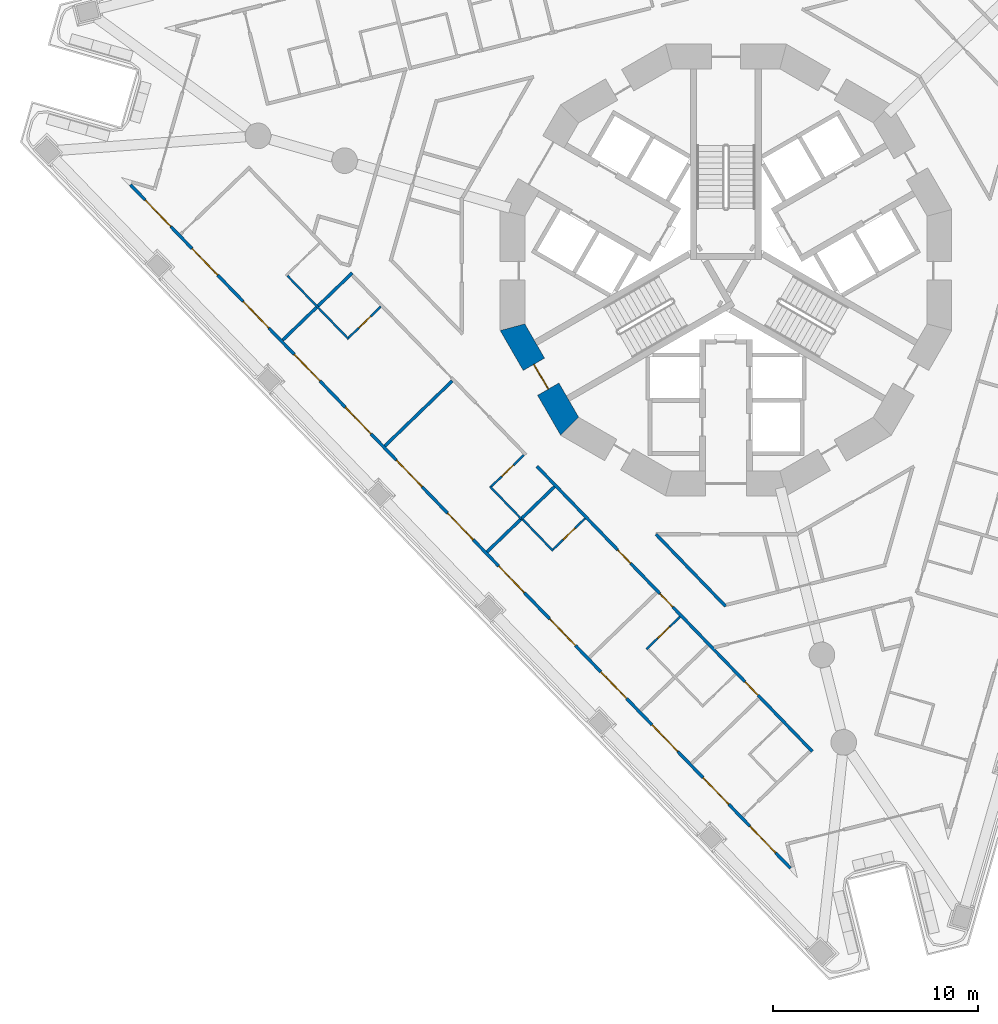
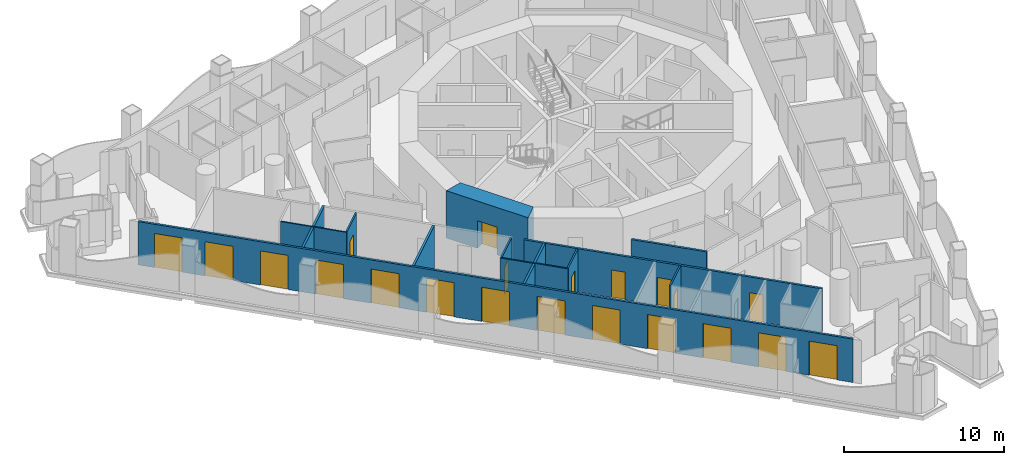
# One storey, part 2 of 18: 21 doors, 15 walls, 21 openings.
"""IFC4 building model written with IfcOpenShell, lengths in metres."""

from ifc_helpers import new_model, si_unit, direction, frame, frame_2d, origin, place, context, subcontext, project, spatial, polyline, rectangle, outline, extrude, material, layer, layer_set, type_object, element, fill, save


model = new_model("IFC4")

# Units and contexts
model_context = context("Model", 3, precision=1e-05, world=origin(), true_north=direction((0.0, 1.0)))
body_context = subcontext(model_context, "Body", "Model", "MODEL_VIEW")
ifc_project = project(units=[si_unit("LENGTHUNIT", "METRE"), si_unit("AREAUNIT", "SQUARE_METRE"), si_unit("VOLUMEUNIT", "CUBIC_METRE"), si_unit("PLANEANGLEUNIT", "RADIAN"), si_unit("MASSUNIT", "GRAM", prefix="KILO")], contexts=[model_context])

# Site, building, storey
site_placement = place(None, origin())
site = spatial("IfcSite", under=ifc_project, at=site_placement, CompositionType="ELEMENT")
building_placement = place(site_placement, origin())
building = spatial("IfcBuilding", under=site, at=building_placement, Name="Trine Commons Tower", CompositionType="ELEMENT")
storey_placement = place(building_placement, frame((0.0, 0.0, 90.89990234375)))
storey = spatial("IfcBuildingStorey", under=building, at=storey_placement, Name="L22", CompositionType="ELEMENT", Elevation=90.89990234375)

# Wall, openings, doors
ifc_material_1 = material(Name="Aluminium-framed insulated wall panel", Category="aluminium")
ifc_layer_1 = layer(ifc_material_1, 0.14990234375)
ifc_layer_set_1 = layer_set([ifc_layer_1], Name="Aluminium-framed insulated wall panel")
wall_type_1 = type_object("IfcWallType", Name="Glazed frame wall 150, EI 60", PredefinedType="SOLIDWALL", material=ifc_layer_set_1)
wall_1_placement = place(storey_placement, frame((83.25048828125, 33.21630859375, 0.0), z_axis=(0.0, 0.0, 1.0), x_axis=(-0.69466017463, 0.719338058067, 0.0)))
wall_1 = element("IfcWall", 1, at=wall_1_placement, inside=storey, type_object=wall_type_1, Name="Glazed frame wall F3", PredefinedType="SOLIDWALL", context=body_context, shape_type="SweptSolid", body=[
    extrude(outline(polyline([(0.1494140625, 0.074951171875), (0.1494140625, -0.074951171875), (46.496826171875, -0.074951171875), (46.496826171875, 0.074951171875), (0.1494140625, 0.074951171875)])), origin(), (0.0, 0.0, 1.0), 3.300048828125),
])
opening_1_placement = place(wall_1_placement, frame((1.194091796875, 0.0, 0.0)))
opening_1 = element("IfcOpeningElement", 2, at=opening_1_placement, cuts=wall_1, Name="Opening BD-3F3-01", PredefinedType="OPENING", context=body_context, shape_type="SweptSolid", body=[
    extrude(rectangle(XDim=1.800048828125, YDim=2.60009765625, at=frame_2d((0.89990234375, 1.300048828125))), frame((0.0, 0.0849609375, 0.0), z_axis=(0.0, -1.0, 0.0), x_axis=(1.0, 0.0, 0.0)), (0.0, 0.0, 1.0), 0.169921875),
])
opening_2_placement = place(wall_1_placement, frame((4.482421875, 0.0, 0.0)))
opening_2 = element("IfcOpeningElement", 3, at=opening_2_placement, cuts=wall_1, Name="Opening BD-3F3-02", PredefinedType="OPENING", context=body_context, shape_type="SweptSolid", body=[
    extrude(rectangle(XDim=1.800048828125, YDim=2.60009765625, at=frame_2d((0.89990234375, 1.300048828125))), frame((0.0, 0.0849609375, 0.0), z_axis=(0.0, -1.0, 0.0), x_axis=(1.0, 0.0, 0.0)), (0.0, 0.0, 1.0), 0.169921875),
])
opening_3_placement = place(wall_1_placement, frame((8.070556640625, 0.0, 0.0)))
opening_3 = element("IfcOpeningElement", 4, at=opening_3_placement, cuts=wall_1, Name="Opening BD-3F3-03", PredefinedType="OPENING", context=body_context, shape_type="SweptSolid", body=[
    extrude(rectangle(XDim=1.800048828125, YDim=2.60009765625, at=frame_2d((0.89990234375, 1.300048828125))), frame((0.0, 0.0849609375, 0.0), z_axis=(0.0, -1.0, 0.0), x_axis=(1.0, 0.0, 0.0)), (0.0, 0.0, 1.0), 0.169921875),
])
opening_4_placement = place(wall_1_placement, frame((11.65869140625, 0.0, 0.0)))
opening_4 = element("IfcOpeningElement", 5, at=opening_4_placement, cuts=wall_1, Name="Opening BD-3F3-04", PredefinedType="OPENING", context=body_context, shape_type="SweptSolid", body=[
    extrude(rectangle(XDim=1.800048828125, YDim=2.60009765625, at=frame_2d((0.89990234375, 1.300048828125))), frame((0.0, 0.0849609375, 0.0), z_axis=(0.0, -1.0, 0.0), x_axis=(1.0, 0.0, 0.0)), (0.0, 0.0, 1.0), 0.169921875),
])
opening_5_placement = place(wall_1_placement, frame((15.246826171875, 0.0, 0.0)))
opening_5 = element("IfcOpeningElement", 6, at=opening_5_placement, cuts=wall_1, Name="Opening BD-3F3-05", PredefinedType="OPENING", context=body_context, shape_type="SweptSolid", body=[
    extrude(rectangle(XDim=1.800048828125, YDim=2.60009765625, at=frame_2d((0.89990234375, 1.300048828125))), frame((0.0, 0.0849609375, 0.0), z_axis=(0.0, -1.0, 0.0), x_axis=(1.0, 0.0, 0.0)), (0.0, 0.0, 1.0), 0.169921875),
])
opening_6_placement = place(wall_1_placement, frame((18.835205078125, 0.0, 0.0)))
opening_6 = element("IfcOpeningElement", 7, at=opening_6_placement, cuts=wall_1, Name="Opening BD-3F3-06", PredefinedType="OPENING", context=body_context, shape_type="SweptSolid", body=[
    extrude(rectangle(XDim=1.800048828125, YDim=2.60009765625, at=frame_2d((0.89990234375, 1.300048828125))), frame((0.0, 0.0849609375, 0.0), z_axis=(0.0, -1.0, 0.0), x_axis=(1.0, 0.0, 0.0)), (0.0, 0.0, 1.0), 0.169921875),
])
opening_7_placement = place(wall_1_placement, frame((22.42333984375, 0.0, 0.0)))
opening_7 = element("IfcOpeningElement", 8, at=opening_7_placement, cuts=wall_1, Name="Opening BD-3F3-07", PredefinedType="OPENING", context=body_context, shape_type="SweptSolid", body=[
    extrude(rectangle(XDim=1.800048828125, YDim=2.60009765625, at=frame_2d((0.89990234375, 1.300048828125))), frame((0.0, 0.0849609375, 0.0), z_axis=(0.0, -1.0, 0.0), x_axis=(1.0, 0.0, 0.0)), (0.0, 0.0, 1.0), 0.169921875),
])
opening_8_placement = place(wall_1_placement, frame((26.011474609375, 0.0, 0.0)))
opening_8 = element("IfcOpeningElement", 9, at=opening_8_placement, cuts=wall_1, Name="Opening BD-3F3-08", PredefinedType="OPENING", context=body_context, shape_type="SweptSolid", body=[
    extrude(rectangle(XDim=1.800048828125, YDim=2.60009765625, at=frame_2d((0.89990234375, 1.300048828125))), frame((0.0, 0.0849609375, 0.0), z_axis=(0.0, -1.0, 0.0), x_axis=(1.0, 0.0, 0.0)), (0.0, 0.0, 1.0), 0.169921875),
])
opening_9_placement = place(wall_1_placement, frame((29.599609375, 0.0, 0.0)))
opening_9 = element("IfcOpeningElement", 10, at=opening_9_placement, cuts=wall_1, Name="Opening BD-3F3-09", PredefinedType="OPENING", context=body_context, shape_type="SweptSolid", body=[
    extrude(rectangle(XDim=1.800048828125, YDim=2.60009765625, at=frame_2d((0.89990234375, 1.300048828125))), frame((0.0, 0.0849609375, 0.0), z_axis=(0.0, -1.0, 0.0), x_axis=(1.0, 0.0, 0.0)), (0.0, 0.0, 1.0), 0.169921875),
])
opening_10_placement = place(wall_1_placement, frame((33.18798828125, 0.0, 0.0)))
opening_10 = element("IfcOpeningElement", 11, at=opening_10_placement, cuts=wall_1, Name="Opening BD-3F3-10", PredefinedType="OPENING", context=body_context, shape_type="SweptSolid", body=[
    extrude(rectangle(XDim=1.800048828125, YDim=2.60009765625, at=frame_2d((0.89990234375, 1.300048828125))), frame((0.0, 0.0849609375, 0.0), z_axis=(0.0, -1.0, 0.0), x_axis=(1.0, 0.0, 0.0)), (0.0, 0.0, 1.0), 0.169921875),
])
opening_11_placement = place(wall_1_placement, frame((36.776123046875, 0.0, 0.0)))
opening_11 = element("IfcOpeningElement", 12, at=opening_11_placement, cuts=wall_1, Name="Opening BD-3F3-11", PredefinedType="OPENING", context=body_context, shape_type="SweptSolid", body=[
    extrude(rectangle(XDim=1.800048828125, YDim=2.60009765625, at=frame_2d((0.89990234375, 1.300048828125))), frame((0.0, 0.0849609375, 0.0), z_axis=(0.0, -1.0, 0.0), x_axis=(1.0, 0.0, 0.0)), (0.0, 0.0, 1.0), 0.169921875),
])
opening_12_placement = place(wall_1_placement, frame((40.3642578125, 0.0, 0.0)))
opening_12 = element("IfcOpeningElement", 13, at=opening_12_placement, cuts=wall_1, Name="Opening BD-3F3-12", PredefinedType="OPENING", context=body_context, shape_type="SweptSolid", body=[
    extrude(rectangle(XDim=1.800048828125, YDim=2.60009765625, at=frame_2d((0.89990234375, 1.300048828125))), frame((0.0, 0.0849609375, 0.0), z_axis=(0.0, -1.0, 0.0), x_axis=(1.0, 0.0, 0.0)), (0.0, 0.0, 1.0), 0.169921875),
])
opening_13_placement = place(wall_1_placement, frame((43.652587890625, 0.0, 0.0)))
opening_13 = element("IfcOpeningElement", 14, at=opening_13_placement, cuts=wall_1, Name="Opening BD-3F3-13", PredefinedType="OPENING", context=body_context, shape_type="SweptSolid", body=[
    extrude(rectangle(XDim=1.800048828125, YDim=2.60009765625, at=frame_2d((0.89990234375, 1.300048828125))), frame((0.0, 0.0849609375, 0.0), z_axis=(0.0, -1.0, 0.0), x_axis=(1.0, 0.0, 0.0)), (0.0, 0.0, 1.0), 0.169921875),
])
ifc_material_2 = material(Name="Anodised aluminium frame with double glazing", Category="aluminium")
door_type_1 = type_object("IfcDoorType", Name="Sliding loggia door 1800x2600", OperationType="SLIDING_TO_LEFT", PredefinedType="DOOR", material=ifc_material_2)
door_1_placement = place(opening_1_placement, origin())
door_1 = element("IfcDoor", 15, at=door_1_placement, inside=storey, type_object=door_type_1, Name="Loggia door F3 1", OperationType="SLIDING_TO_LEFT", OverallHeight=2.60009765625, OverallWidth=1.800048828125, PredefinedType="DOOR", context=body_context, shape_type="SweptSolid", body=[
    extrude(rectangle(XDim=1.800048828125, YDim=2.60009765625, at=frame_2d((0.89990234375, 1.300048828125))), frame((0.0, 0.02490234375, 0.0), z_axis=(0.0, -1.0, 0.0), x_axis=(1.0, 0.0, 0.0)), (0.0, 0.0, 1.0), 0.050048828125),
])
fill(opening_1, door_1)
door_2_placement = place(opening_2_placement, origin())
door_2 = element("IfcDoor", 16, at=door_2_placement, inside=storey, type_object=door_type_1, Name="Loggia door F3 2", OperationType="SLIDING_TO_LEFT", OverallHeight=2.60009765625, OverallWidth=1.800048828125, PredefinedType="DOOR", context=body_context, shape_type="SweptSolid", body=[
    extrude(rectangle(XDim=1.800048828125, YDim=2.60009765625, at=frame_2d((0.89990234375, 1.300048828125))), frame((0.0, 0.02490234375, 0.0), z_axis=(0.0, -1.0, 0.0), x_axis=(1.0, 0.0, 0.0)), (0.0, 0.0, 1.0), 0.050048828125),
])
fill(opening_2, door_2)
door_3_placement = place(opening_3_placement, origin())
door_3 = element("IfcDoor", 17, at=door_3_placement, inside=storey, type_object=door_type_1, Name="Loggia door F3 3", OperationType="SLIDING_TO_LEFT", OverallHeight=2.60009765625, OverallWidth=1.800048828125, PredefinedType="DOOR", context=body_context, shape_type="SweptSolid", body=[
    extrude(rectangle(XDim=1.800048828125, YDim=2.60009765625, at=frame_2d((0.89990234375, 1.300048828125))), frame((0.0, 0.02490234375, 0.0), z_axis=(0.0, -1.0, 0.0), x_axis=(1.0, 0.0, 0.0)), (0.0, 0.0, 1.0), 0.050048828125),
])
fill(opening_3, door_3)
door_4_placement = place(opening_4_placement, origin())
door_4 = element("IfcDoor", 18, at=door_4_placement, inside=storey, type_object=door_type_1, Name="Loggia door F3 4", OperationType="SLIDING_TO_LEFT", OverallHeight=2.60009765625, OverallWidth=1.800048828125, PredefinedType="DOOR", context=body_context, shape_type="SweptSolid", body=[
    extrude(rectangle(XDim=1.800048828125, YDim=2.60009765625, at=frame_2d((0.89990234375, 1.300048828125))), frame((0.0, 0.02490234375, 0.0), z_axis=(0.0, -1.0, 0.0), x_axis=(1.0, 0.0, 0.0)), (0.0, 0.0, 1.0), 0.050048828125),
])
fill(opening_4, door_4)
door_5_placement = place(opening_5_placement, origin())
door_5 = element("IfcDoor", 19, at=door_5_placement, inside=storey, type_object=door_type_1, Name="Loggia door F3 5", OperationType="SLIDING_TO_LEFT", OverallHeight=2.60009765625, OverallWidth=1.800048828125, PredefinedType="DOOR", context=body_context, shape_type="SweptSolid", body=[
    extrude(rectangle(XDim=1.800048828125, YDim=2.60009765625, at=frame_2d((0.89990234375, 1.300048828125))), frame((0.0, 0.02490234375, 0.0), z_axis=(0.0, -1.0, 0.0), x_axis=(1.0, 0.0, 0.0)), (0.0, 0.0, 1.0), 0.050048828125),
])
fill(opening_5, door_5)
door_6_placement = place(opening_6_placement, origin())
door_6 = element("IfcDoor", 20, at=door_6_placement, inside=storey, type_object=door_type_1, Name="Loggia door F3 6", OperationType="SLIDING_TO_LEFT", OverallHeight=2.60009765625, OverallWidth=1.800048828125, PredefinedType="DOOR", context=body_context, shape_type="SweptSolid", body=[
    extrude(rectangle(XDim=1.800048828125, YDim=2.60009765625, at=frame_2d((0.89990234375, 1.300048828125))), frame((0.0, 0.02490234375, 0.0), z_axis=(0.0, -1.0, 0.0), x_axis=(1.0, 0.0, 0.0)), (0.0, 0.0, 1.0), 0.050048828125),
])
fill(opening_6, door_6)
door_7_placement = place(opening_7_placement, origin())
door_7 = element("IfcDoor", 21, at=door_7_placement, inside=storey, type_object=door_type_1, Name="Loggia door F3 7", OperationType="SLIDING_TO_LEFT", OverallHeight=2.60009765625, OverallWidth=1.800048828125, PredefinedType="DOOR", context=body_context, shape_type="SweptSolid", body=[
    extrude(rectangle(XDim=1.800048828125, YDim=2.60009765625, at=frame_2d((0.89990234375, 1.300048828125))), frame((0.0, 0.02490234375, 0.0), z_axis=(0.0, -1.0, 0.0), x_axis=(1.0, 0.0, 0.0)), (0.0, 0.0, 1.0), 0.050048828125),
])
fill(opening_7, door_7)
door_8_placement = place(opening_8_placement, origin())
door_8 = element("IfcDoor", 22, at=door_8_placement, inside=storey, type_object=door_type_1, Name="Loggia door F3 8", OperationType="SLIDING_TO_LEFT", OverallHeight=2.60009765625, OverallWidth=1.800048828125, PredefinedType="DOOR", context=body_context, shape_type="SweptSolid", body=[
    extrude(rectangle(XDim=1.800048828125, YDim=2.60009765625, at=frame_2d((0.89990234375, 1.300048828125))), frame((0.0, 0.02490234375, 0.0), z_axis=(0.0, -1.0, 0.0), x_axis=(1.0, 0.0, 0.0)), (0.0, 0.0, 1.0), 0.050048828125),
])
fill(opening_8, door_8)
door_9_placement = place(opening_9_placement, origin())
door_9 = element("IfcDoor", 23, at=door_9_placement, inside=storey, type_object=door_type_1, Name="Loggia door F3 9", OperationType="SLIDING_TO_LEFT", OverallHeight=2.60009765625, OverallWidth=1.800048828125, PredefinedType="DOOR", context=body_context, shape_type="SweptSolid", body=[
    extrude(rectangle(XDim=1.800048828125, YDim=2.60009765625, at=frame_2d((0.89990234375, 1.300048828125))), frame((0.0, 0.02490234375, 0.0), z_axis=(0.0, -1.0, 0.0), x_axis=(1.0, 0.0, 0.0)), (0.0, 0.0, 1.0), 0.050048828125),
])
fill(opening_9, door_9)
door_10_placement = place(opening_10_placement, origin())
door_10 = element("IfcDoor", 24, at=door_10_placement, inside=storey, type_object=door_type_1, Name="Loggia door F3 10", OperationType="SLIDING_TO_LEFT", OverallHeight=2.60009765625, OverallWidth=1.800048828125, PredefinedType="DOOR", context=body_context, shape_type="SweptSolid", body=[
    extrude(rectangle(XDim=1.800048828125, YDim=2.60009765625, at=frame_2d((0.89990234375, 1.300048828125))), frame((0.0, 0.02490234375, 0.0), z_axis=(0.0, -1.0, 0.0), x_axis=(1.0, 0.0, 0.0)), (0.0, 0.0, 1.0), 0.050048828125),
])
fill(opening_10, door_10)
door_11_placement = place(opening_11_placement, origin())
door_11 = element("IfcDoor", 25, at=door_11_placement, inside=storey, type_object=door_type_1, Name="Loggia door F3 11", OperationType="SLIDING_TO_LEFT", OverallHeight=2.60009765625, OverallWidth=1.800048828125, PredefinedType="DOOR", context=body_context, shape_type="SweptSolid", body=[
    extrude(rectangle(XDim=1.800048828125, YDim=2.60009765625, at=frame_2d((0.89990234375, 1.300048828125))), frame((0.0, 0.02490234375, 0.0), z_axis=(0.0, -1.0, 0.0), x_axis=(1.0, 0.0, 0.0)), (0.0, 0.0, 1.0), 0.050048828125),
])
fill(opening_11, door_11)
door_12_placement = place(opening_12_placement, origin())
door_12 = element("IfcDoor", 26, at=door_12_placement, inside=storey, type_object=door_type_1, Name="Loggia door F3 12", OperationType="SLIDING_TO_LEFT", OverallHeight=2.60009765625, OverallWidth=1.800048828125, PredefinedType="DOOR", context=body_context, shape_type="SweptSolid", body=[
    extrude(rectangle(XDim=1.800048828125, YDim=2.60009765625, at=frame_2d((0.89990234375, 1.300048828125))), frame((0.0, 0.02490234375, 0.0), z_axis=(0.0, -1.0, 0.0), x_axis=(1.0, 0.0, 0.0)), (0.0, 0.0, 1.0), 0.050048828125),
])
fill(opening_12, door_12)
door_13_placement = place(opening_13_placement, origin())
door_13 = element("IfcDoor", 27, at=door_13_placement, inside=storey, type_object=door_type_1, Name="Loggia door F3 13", OperationType="SLIDING_TO_LEFT", OverallHeight=2.60009765625, OverallWidth=1.800048828125, PredefinedType="DOOR", context=body_context, shape_type="SweptSolid", body=[
    extrude(rectangle(XDim=1.800048828125, YDim=2.60009765625, at=frame_2d((0.89990234375, 1.300048828125))), frame((0.0, 0.02490234375, 0.0), z_axis=(0.0, -1.0, 0.0), x_axis=(1.0, 0.0, 0.0)), (0.0, 0.0, 1.0), 0.050048828125),
])
fill(opening_13, door_13)

# Wall, opening, door
ifc_material_3 = material(Name="Concrete C70/85", Category="concrete")
ifc_layer_2 = layer(ifc_material_3, 1.199951171875)
ifc_layer_set_2 = layer_set([ifc_layer_2], Name="Concrete C70/85")
wall_type_2 = type_object("IfcWallType", Name="RC shear wall 1200 mm, C70/85", PredefinedType="SHEAR", material=ifc_layer_set_2)
wall_2_placement = place(storey_placement, frame((69.508056640625, 59.849609375, 0.0), z_axis=(0.0, 0.0, 1.0), x_axis=(0.499979111662, -0.866037463336, 0.0)))
wall_2 = element("IfcWall", 28, at=wall_2_placement, inside=storey, type_object=wall_type_2, Name="Core wall CWC-08 L22", PredefinedType="SHEAR", context=body_context, shape_type="SweptSolid", body=[
    extrude(outline(polyline([(0.0, -0.60009765625), (5.901123046875, -0.60009765625), (5.57958984375, 0.60009765625), (0.321533203125, 0.60009765625), (0.0, -0.60009765625)])), origin(), (0.0, 0.0, 1.0), 3.60009765625),
])
opening_14_placement = place(wall_2_placement, frame((2.25048828125, 0.0, 0.0)))
opening_14 = element("IfcOpeningElement", 29, at=opening_14_placement, cuts=wall_2, Name="Opening K05.02", PredefinedType="OPENING", context=body_context, shape_type="SweptSolid", body=[
    extrude(rectangle(XDim=1.39990234375, YDim=2.10009765625, at=frame_2d((0.699951171875, 1.050048828125))), frame((0.0, 0.60986328125, 0.0), z_axis=(0.0, -1.0, 0.0), x_axis=(1.0, 0.0, 0.0)), (0.0, 0.0, 1.0), 1.219970703125),
])
ifc_material_4 = material(Name="Steel door leaves, fire-rated", Category="steel")
door_type_2 = type_object("IfcDoorType", Name="Stair door, double leaf 1400 x 2100, FD90", OperationType="DOUBLE_DOOR_SINGLE_SWING", PredefinedType="DOOR", material=ifc_material_4)
door_14_placement = place(opening_14_placement, origin())
door_14 = element("IfcDoor", 30, at=door_14_placement, inside=storey, type_object=door_type_2, Name="Stair door to Exit stair ST2A L22", OperationType="DOUBLE_DOOR_SINGLE_SWING", OverallHeight=2.10009765625, OverallWidth=1.39990234375, PredefinedType="DOOR", context=body_context, shape_type="SweptSolid", body=[
    extrude(rectangle(XDim=1.39990234375, YDim=2.10009765625, at=frame_2d((0.699951171875, 1.050048828125))), frame((0.0, 0.02490234375, 0.0), z_axis=(0.0, -1.0, 0.0), x_axis=(1.0, 0.0, 0.0)), (0.0, 0.0, 1.0), 0.050048828125),
])
fill(opening_14, door_14)

# Walls
ifc_material_5 = material(Name="Gypsum plasterboard on steel stud", Category="steel")
ifc_layer_3 = layer(ifc_material_5, 0.14990234375)
ifc_layer_set_3 = layer_set([ifc_layer_3], Name="Gypsum plasterboard on steel stud")
wall_type_3 = type_object("IfcWallType", Name="Unit and corridor wall 150 mm, EI 60", PredefinedType="PARTITIONING", material=ifc_layer_set_3)
wall_3_placement = place(storey_placement, frame((58.37890625, 59.079833984375, 0.0), z_axis=(0.0, 0.0, 1.0), x_axis=(0.719355135732, 0.694642489844, 0.0)))
element("IfcWall", 31, at=wall_3_placement, inside=storey, type_object=wall_type_3, Name="Partition 005", PredefinedType="PARTITIONING", context=body_context, shape_type="SweptSolid", body=[
    extrude(rectangle(XDim=4.72216796875, YDim=0.14990234375, at=frame_2d((2.361083984375, 0.0))), origin(), (0.0, 0.0, 1.0), 3.300048828125),
])
wall_4_placement = place(storey_placement, frame((63.36376953125, 53.917724609375, 0.0), z_axis=(0.0, 0.0, 1.0), x_axis=(0.719359139448, 0.694638343667, 0.0)))
element("IfcWall", 32, at=wall_4_placement, inside=storey, type_object=wall_type_3, Name="Partition 023", PredefinedType="PARTITIONING", context=body_context, shape_type="SweptSolid", body=[
    extrude(rectangle(XDim=4.572509765625, YDim=0.14990234375, at=frame_2d((2.2861328125, 0.0))), origin(), (0.0, 0.0, 1.0), 3.300048828125),
])
wall_5_placement = place(storey_placement, frame((68.348876953125, 48.7548828125, 0.0), z_axis=(0.0, 0.0, 1.0), x_axis=(0.719519317985, 0.694472426412, 0.0)))
element("IfcWall", 33, at=wall_5_placement, inside=storey, type_object=wall_type_3, Name="Partition 041", PredefinedType="PARTITIONING", context=body_context, shape_type="SweptSolid", body=[
    extrude(rectangle(XDim=2.31982421875, YDim=0.14990234375, at=frame_2d((1.159912109375, 0.0))), origin(), (0.0, 0.0, 1.0), 3.300048828125),
])
wall_6_placement = place(storey_placement, frame((70.001953125, 50.351318359375, 0.0), z_axis=(0.0, 0.0, 1.0), x_axis=(0.719390368222, 0.694606002068, 0.0)))
element("IfcWall", 34, at=wall_6_placement, inside=storey, type_object=wall_type_3, Name="Partition 046", PredefinedType="PARTITIONING", context=body_context, shape_type="SweptSolid", body=[
    extrude(rectangle(XDim=2.275390625, YDim=0.14990234375, at=frame_2d((1.1376953125, 0.0))), origin(), (0.0, 0.0, 1.0), 3.300048828125),
])

# Wall, openings, doors
wall_7_placement = place(storey_placement, frame((70.779052734375, 52.928955078125, 0.0), z_axis=(0.0, 0.0, 1.0), x_axis=(0.694659650284, -0.719338564424, 0.0)))
wall_7 = element("IfcWall", 35, at=wall_7_placement, inside=storey, type_object=wall_type_3, Name="Partition 048", PredefinedType="PARTITIONING", context=body_context, shape_type="SweptSolid", body=[
    extrude(rectangle(XDim=19.330322265625, YDim=0.14990234375, at=frame_2d((9.6650390625, 0.0))), origin(), (0.0, 0.0, 1.0), 3.300048828125),
])
opening_15_placement = place(wall_7_placement, frame((14.61767578125, 0.0, 0.0)))
opening_15 = element("IfcOpeningElement", 36, at=opening_15_placement, cuts=wall_7, Name="Opening D-3A23", PredefinedType="OPENING", context=body_context, shape_type="SweptSolid", body=[
    extrude(rectangle(XDim=0.89990234375, YDim=2.10009765625, at=frame_2d((0.449951171875, 1.050048828125))), frame((0.0, 0.0849609375, 0.0), z_axis=(0.0, -1.0, 0.0), x_axis=(1.0, 0.0, 0.0)), (0.0, 0.0, 1.0), 0.169921875),
])
opening_16_placement = place(wall_7_placement, frame((8.640869140625, 0.0, 0.0)))
opening_16 = element("IfcOpeningElement", 37, at=opening_16_placement, cuts=wall_7, Name="Opening D-3A24", PredefinedType="OPENING", context=body_context, shape_type="SweptSolid", body=[
    extrude(rectangle(XDim=0.89990234375, YDim=2.10009765625, at=frame_2d((0.449951171875, 1.050048828125))), frame((0.0, 0.0849609375, 0.0), z_axis=(0.0, -1.0, 0.0), x_axis=(1.0, 0.0, 0.0)), (0.0, 0.0, 1.0), 0.169921875),
])
opening_17_placement = place(wall_7_placement, frame((5.673583984375, 0.0, 0.0)))
opening_17 = element("IfcOpeningElement", 38, at=opening_17_placement, cuts=wall_7, Name="Opening D-3A25", PredefinedType="OPENING", context=body_context, shape_type="SweptSolid", body=[
    extrude(rectangle(XDim=0.89990234375, YDim=2.10009765625, at=frame_2d((0.449951171875, 1.050048828125))), frame((0.0, 0.0849609375, 0.0), z_axis=(0.0, -1.0, 0.0), x_axis=(1.0, 0.0, 0.0)), (0.0, 0.0, 1.0), 0.169921875),
])
ifc_material_6 = material(Name="Timber fire door set", Category="wood")
door_type_3 = type_object("IfcDoorType", Name="Bedroom door 900 x 2100, FD30S", OperationType="NOTDEFINED", PredefinedType="DOOR", material=ifc_material_6)
door_15_placement = place(opening_15_placement, frame((0.89990234375, 0.0, 0.0), z_axis=(0.0, 0.0, 1.0), x_axis=(-1.0, 0.0, 0.0)))
door_15 = element("IfcDoor", 39, at=door_15_placement, inside=storey, type_object=door_type_3, Name="Door D-3A23", OperationType="SINGLE_SWING_LEFT", OverallHeight=2.10009765625, OverallWidth=0.89990234375, PredefinedType="DOOR", context=body_context, shape_type="SweptSolid", body=[
    extrude(rectangle(XDim=0.89990234375, YDim=2.10009765625, at=frame_2d((0.449951171875, 1.050048828125))), frame((0.0, 0.02490234375, 0.0), z_axis=(0.0, -1.0, 0.0), x_axis=(1.0, 0.0, 0.0)), (0.0, 0.0, 1.0), 0.050048828125),
])
fill(opening_15, door_15)
door_16_placement = place(opening_16_placement, frame((0.89990234375, 0.0, 0.0), z_axis=(0.0, 0.0, 1.0), x_axis=(-1.0, 0.0, 0.0)))
door_16 = element("IfcDoor", 40, at=door_16_placement, inside=storey, type_object=door_type_3, Name="Door D-3A24", OperationType="SINGLE_SWING_RIGHT", OverallHeight=2.10009765625, OverallWidth=0.89990234375, PredefinedType="DOOR", context=body_context, shape_type="SweptSolid", body=[
    extrude(rectangle(XDim=0.89990234375, YDim=2.10009765625, at=frame_2d((0.449951171875, 1.050048828125))), frame((0.0, 0.02490234375, 0.0), z_axis=(0.0, -1.0, 0.0), x_axis=(1.0, 0.0, 0.0)), (0.0, 0.0, 1.0), 0.050048828125),
])
fill(opening_16, door_16)
door_17_placement = place(opening_17_placement, frame((0.89990234375, 0.0, 0.0), z_axis=(0.0, 0.0, 1.0), x_axis=(-1.0, 0.0, 0.0)))
door_17 = element("IfcDoor", 41, at=door_17_placement, inside=storey, type_object=door_type_3, Name="Door D-3A25", OperationType="SINGLE_SWING_RIGHT", OverallHeight=2.10009765625, OverallWidth=0.89990234375, PredefinedType="DOOR", context=body_context, shape_type="SweptSolid", body=[
    extrude(rectangle(XDim=0.89990234375, YDim=2.10009765625, at=frame_2d((0.449951171875, 1.050048828125))), frame((0.0, 0.02490234375, 0.0), z_axis=(0.0, -1.0, 0.0), x_axis=(1.0, 0.0, 0.0)), (0.0, 0.0, 1.0), 0.050048828125),
])
fill(opening_17, door_17)

# Walls
wall_8_placement = place(storey_placement, frame((76.587890625, 49.613037109375, 0.0), z_axis=(0.0, 0.0, 1.0), x_axis=(0.694768247914, -0.719233676694, 0.0)))
element("IfcWall", 42, at=wall_8_placement, inside=storey, type_object=wall_type_3, Name="Partition 058", PredefinedType="PARTITIONING", context=body_context, shape_type="SweptSolid", body=[
    extrude(rectangle(XDim=4.8896484375, YDim=0.14990234375, at=frame_2d((2.44482421875, 0.0))), origin(), (0.0, 0.0, 1.0), 3.300048828125),
])
ifc_layer_4 = layer(ifc_material_5, 0.10009765625)
ifc_layer_set_4 = layer_set([ifc_layer_4], Name="Gypsum plasterboard on steel stud")
wall_type_4 = type_object("IfcWallType", Name="Unit partition 100 mm, no rating", PredefinedType="PARTITIONING", material=ifc_layer_set_4)
wall_9_placement = place(storey_placement, frame((58.608642578125, 62.220947265625, 0.0), z_axis=(0.0, 0.0, 1.0), x_axis=(0.694678610247, -0.719320254452, 0.0)))
element("IfcWall", 43, at=wall_9_placement, inside=storey, type_object=wall_type_4, Name="Partition 007", PredefinedType="PARTITIONING", context=body_context, shape_type="SweptSolid", body=[
    extrude(rectangle(XDim=4.2998046875, YDim=0.10009765625, at=frame_2d((2.14990234375, 0.0))), origin(), (0.0, 0.0, 1.0), 3.300048828125),
])

# Wall, opening, door
wall_10_placement = place(storey_placement, frame((61.596923828125, 59.19873046875, 0.0), z_axis=(0.0, 0.0, 1.0), x_axis=(0.719397593573, 0.69459851883, 0.0)))
wall_10 = element("IfcWall", 44, at=wall_10_placement, inside=storey, type_object=wall_type_4, Name="Partition 017", PredefinedType="PARTITIONING", context=body_context, shape_type="SweptSolid", body=[
    extrude(rectangle(XDim=2.17578125, YDim=0.10009765625, at=frame_2d((1.087890625, 0.0))), origin(), (0.0, 0.0, 1.0), 3.300048828125),
])
opening_18_placement = place(wall_10_placement, frame((0.687744140625, 0.0, 0.0)))
opening_18 = element("IfcOpeningElement", 45, at=opening_18_placement, cuts=wall_10, Name="Opening D-3A56", PredefinedType="OPENING", context=body_context, shape_type="SweptSolid", body=[
    extrude(rectangle(XDim=0.800048828125, YDim=2.10009765625, at=frame_2d((0.39990234375, 1.050048828125))), frame((0.0, 0.06005859375, 0.0), z_axis=(0.0, -1.0, 0.0), x_axis=(1.0, 0.0, 0.0)), (0.0, 0.0, 1.0), 0.1201171875),
])
ifc_material_7 = material(Name="Painted timber", Category="wood")
door_type_4 = type_object("IfcDoorType", Name="Internal door 800 x 2100, NOT RATED", OperationType="NOTDEFINED", PredefinedType="DOOR", material=ifc_material_7)
door_18_placement = place(opening_18_placement, frame((0.800048828125, 0.0, 0.0), z_axis=(0.0, 0.0, 1.0), x_axis=(-1.0, 0.0, 0.0)))
door_18 = element("IfcDoor", 46, at=door_18_placement, inside=storey, type_object=door_type_4, Name="Door D-3A56", OperationType="SINGLE_SWING_RIGHT", OverallHeight=2.10009765625, OverallWidth=0.800048828125, PredefinedType="DOOR", context=body_context, shape_type="SweptSolid", body=[
    extrude(rectangle(XDim=0.800048828125, YDim=2.10009765625, at=frame_2d((0.39990234375, 1.050048828125))), frame((0.0, 0.02490234375, 0.0), z_axis=(0.0, -1.0, 0.0), x_axis=(1.0, 0.0, 0.0)), (0.0, 0.0, 1.0), 0.050048828125),
])
fill(opening_18, door_18)

# Wall
wall_11_placement = place(storey_placement, frame((68.4873046875, 51.946044921875, 0.0), z_axis=(0.0, 0.0, 1.0), x_axis=(0.694620268713, -0.719376592817, 0.0)))
element("IfcWall", 47, at=wall_11_placement, inside=storey, type_object=wall_type_4, Name="Partition 042", PredefinedType="PARTITIONING", context=body_context, shape_type="SweptSolid", body=[
    extrude(rectangle(XDim=2.19921875, YDim=0.10009765625, at=frame_2d((1.099609375, 0.0))), origin(), (0.0, 0.0, 1.0), 3.300048828125),
])

# Wall, opening, door
wall_12_placement = place(storey_placement, frame((68.55810546875, 51.944580078125, 0.0), z_axis=(0.0, 0.0, 1.0), x_axis=(0.719172648097, 0.694831420007, 0.0)))
wall_12 = element("IfcWall", 48, at=wall_12_placement, inside=storey, type_object=wall_type_4, Name="Partition 043", PredefinedType="PARTITIONING", context=body_context, shape_type="SweptSolid", body=[
    extrude(rectangle(XDim=2.20654296875, YDim=0.10009765625, at=frame_2d((1.103271484375, 0.0))), origin(), (0.0, 0.0, 1.0), 3.300048828125),
])
opening_19_placement = place(wall_12_placement, frame((0.703369140625, 0.0, 0.0)))
opening_19 = element("IfcOpeningElement", 49, at=opening_19_placement, cuts=wall_12, Name="Opening D-3A55", PredefinedType="OPENING", context=body_context, shape_type="SweptSolid", body=[
    extrude(rectangle(XDim=0.800048828125, YDim=2.10009765625, at=frame_2d((0.39990234375, 1.050048828125))), frame((0.0, 0.06005859375, 0.0), z_axis=(0.0, -1.0, 0.0), x_axis=(1.0, 0.0, 0.0)), (0.0, 0.0, 1.0), 0.1201171875),
])
door_19_placement = place(opening_19_placement, origin())
door_19 = element("IfcDoor", 50, at=door_19_placement, inside=storey, type_object=door_type_4, Name="Door D-3A55", OperationType="SINGLE_SWING_LEFT", OverallHeight=2.10009765625, OverallWidth=0.800048828125, PredefinedType="DOOR", context=body_context, shape_type="SweptSolid", body=[
    extrude(rectangle(XDim=0.800048828125, YDim=2.10009765625, at=frame_2d((0.39990234375, 1.050048828125))), frame((0.0, 0.02490234375, 0.0), z_axis=(0.0, -1.0, 0.0), x_axis=(1.0, 0.0, 0.0)), (0.0, 0.0, 1.0), 0.050048828125),
])
fill(opening_19, door_19)

# Wall
wall_13_placement = place(storey_placement, frame((70.090087890625, 50.33203125, 0.0), z_axis=(0.0, 0.0, 1.0), x_axis=(0.694651904382, -0.719346044501, 0.0)))
element("IfcWall", 51, at=wall_13_placement, inside=storey, type_object=wall_type_4, Name="Partition 045", PredefinedType="PARTITIONING", context=body_context, shape_type="SweptSolid", body=[
    extrude(rectangle(XDim=2.125732421875, YDim=0.10009765625, at=frame_2d((1.06298828125, 0.0))), origin(), (0.0, 0.0, 1.0), 3.300048828125),
])

# Wall, opening, door
wall_14_placement = place(storey_placement, frame((71.568115234375, 48.873779296875, 0.0), z_axis=(0.0, 0.0, 1.0), x_axis=(0.719126734191, 0.69487893922, 0.0)))
wall_14 = element("IfcWall", 52, at=wall_14_placement, inside=storey, type_object=wall_type_4, Name="Partition 049", PredefinedType="PARTITIONING", context=body_context, shape_type="SweptSolid", body=[
    extrude(rectangle(XDim=2.1748046875, YDim=0.10009765625, at=frame_2d((1.08740234375, 0.0))), origin(), (0.0, 0.0, 1.0), 3.300048828125),
])
opening_20_placement = place(wall_14_placement, frame((0.6875, 0.0, 0.0)))
opening_20 = element("IfcOpeningElement", 53, at=opening_20_placement, cuts=wall_14, Name="Opening D-3A54", PredefinedType="OPENING", context=body_context, shape_type="SweptSolid", body=[
    extrude(rectangle(XDim=0.800048828125, YDim=2.10009765625, at=frame_2d((0.39990234375, 1.050048828125))), frame((0.0, 0.06005859375, 0.0), z_axis=(0.0, -1.0, 0.0), x_axis=(1.0, 0.0, 0.0)), (0.0, 0.0, 1.0), 0.1201171875),
])
door_20_placement = place(opening_20_placement, frame((0.800048828125, 0.0, 0.0), z_axis=(0.0, 0.0, 1.0), x_axis=(-1.0, 0.0, 0.0)))
door_20 = element("IfcDoor", 54, at=door_20_placement, inside=storey, type_object=door_type_4, Name="Door D-3A54", OperationType="SINGLE_SWING_RIGHT", OverallHeight=2.10009765625, OverallWidth=0.800048828125, PredefinedType="DOOR", context=body_context, shape_type="SweptSolid", body=[
    extrude(rectangle(XDim=0.800048828125, YDim=2.10009765625, at=frame_2d((0.39990234375, 1.050048828125))), frame((0.0, 0.02490234375, 0.0), z_axis=(0.0, -1.0, 0.0), x_axis=(1.0, 0.0, 0.0)), (0.0, 0.0, 1.0), 0.050048828125),
])
fill(opening_20, door_20)

wall_15_placement = place(storey_placement, frame((76.125, 44.01025390625, 0.0), z_axis=(0.0, 0.0, 1.0), x_axis=(0.719390368222, 0.694606002068, 0.0)))
wall_15 = element("IfcWall", 55, at=wall_15_placement, inside=storey, type_object=wall_type_4, Name="Partition 055", PredefinedType="PARTITIONING", context=body_context, shape_type="SweptSolid", body=[
    extrude(rectangle(XDim=2.275390625, YDim=0.10009765625, at=frame_2d((1.1376953125, 0.0))), origin(), (0.0, 0.0, 1.0), 3.300048828125),
])
opening_21_placement = place(wall_15_placement, frame((0.7626953125, 0.0, 0.0)))
opening_21 = element("IfcOpeningElement", 56, at=opening_21_placement, cuts=wall_15, Name="Opening D-3A53", PredefinedType="OPENING", context=body_context, shape_type="SweptSolid", body=[
    extrude(rectangle(XDim=0.800048828125, YDim=2.10009765625, at=frame_2d((0.39990234375, 1.050048828125))), frame((0.0, 0.06005859375, 0.0), z_axis=(0.0, -1.0, 0.0), x_axis=(1.0, 0.0, 0.0)), (0.0, 0.0, 1.0), 0.1201171875),
])
door_21_placement = place(opening_21_placement, origin())
door_21 = element("IfcDoor", 57, at=door_21_placement, inside=storey, type_object=door_type_4, Name="Door D-3A53", OperationType="SINGLE_SWING_RIGHT", OverallHeight=2.10009765625, OverallWidth=0.800048828125, PredefinedType="DOOR", context=body_context, shape_type="SweptSolid", body=[
    extrude(rectangle(XDim=0.800048828125, YDim=2.10009765625, at=frame_2d((0.39990234375, 1.050048828125))), frame((0.0, 0.02490234375, 0.0), z_axis=(0.0, -1.0, 0.0), x_axis=(1.0, 0.0, 0.0)), (0.0, 0.0, 1.0), 0.050048828125),
])
fill(opening_21, door_21)

save(model, "model.ifc")
